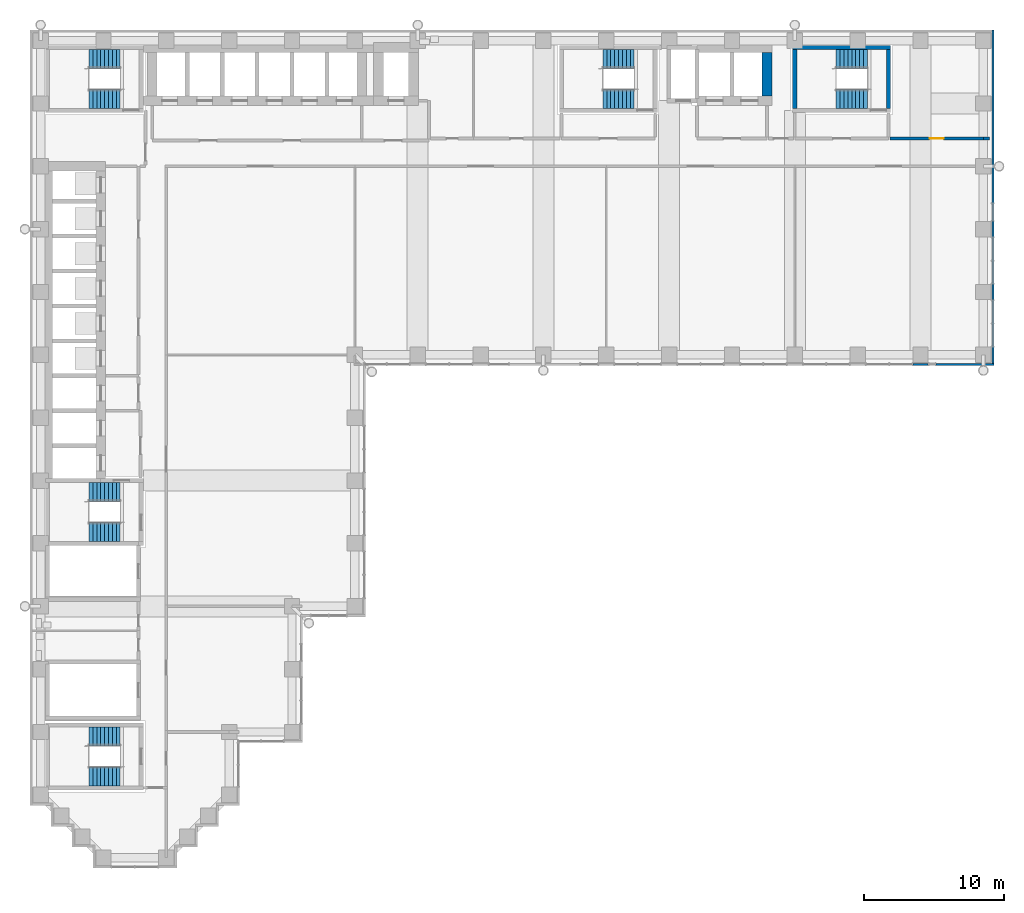
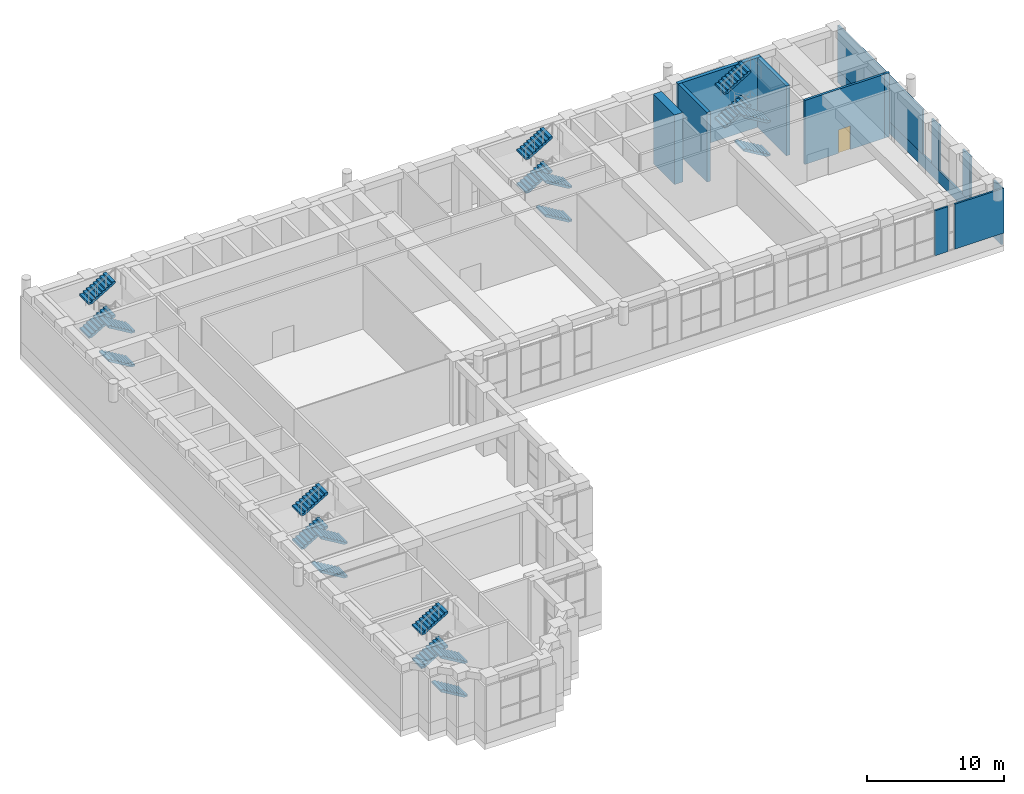
# One storey, part 17 of 22: 20 stair flights, 13 walls, 1 door, 1 opening, 5 elements without a shape of their own.
"""IFC4 building model written with IfcOpenShell, lengths in metres."""

from ifc_helpers import new_model, si_unit, direction, frame, frame_2d, origin, place, context, subcontext, project, spatial, polyline, rectangle, outline, extrude, material, layer, layer_set, type_object, element, fill, aggregate, save


model = new_model("IFC4")

# Units and contexts
model_context = context("Model", 3, precision=1e-05, world=origin(), true_north=direction((0.0, 1.0)))
body_context = subcontext(model_context, "Body", "Model", "MODEL_VIEW")
ifc_project = project(units=[si_unit("LENGTHUNIT", "METRE"), si_unit("AREAUNIT", "SQUARE_METRE"), si_unit("VOLUMEUNIT", "CUBIC_METRE"), si_unit("PLANEANGLEUNIT", "RADIAN"), si_unit("MASSUNIT", "GRAM", prefix="KILO")], contexts=[model_context])

# Site, building, storey
site_placement = place(None, origin())
site = spatial("IfcSite", under=ifc_project, at=site_placement, CompositionType="ELEMENT")
building_placement = place(site_placement, origin())
building = spatial("IfcBuilding", under=site, at=building_placement, Name="Firuza Court", CompositionType="ELEMENT")
storey_placement = place(building_placement, frame((0.0, 0.0, 113.60009765625)))
storey = spatial("IfcBuildingStorey", under=building, at=storey_placement, Name="L28", CompositionType="ELEMENT", Elevation=113.60009765625)

# Walls
ifc_material_1 = material(Name="Concrete C60/75", Category="concrete")
ifc_layer_1 = layer(ifc_material_1, 0.300048828125)
ifc_layer_set_1 = layer_set([ifc_layer_1], Name="Concrete C60/75")
wall_type_1 = type_object("IfcWallType", Name="Core wall 300 C60/75", PredefinedType="SHEAR", material=ifc_layer_set_1)
wall_1_placement = place(storey_placement, frame((53.85009765625, 58.0, -0.5), z_axis=(0.0, 0.0, 1.0), x_axis=(1.0, 0.0, 0.0)))
element("IfcWall", 1, at=wall_1_placement, inside=storey, type_object=wall_type_1, Name="Core wall stair L28", PredefinedType="SHEAR", context=body_context, shape_type="SweptSolid", body=[
    extrude(rectangle(XDim=7.0, YDim=0.300048828125, at=frame_2d((3.5, 0.0))), origin(), (0.0, 0.0, 1.0), 6.199951171875),
])
for number, where, z_axis, x_axis, name in (
    (2, (54.0, 53.64990234375, -0.5), (0.0, 0.0, 1.0), (0.0, 1.0, 0.0), "Core wall stair L28"),
    (3, (60.699951171875, 53.64990234375, -0.5), (0.0, 0.0, 1.0), (0.0, 1.0, 0.0), "Core wall stair L28"),
):
    element("IfcWall", number, at=place(storey_placement, frame(where, z_axis=z_axis, x_axis=x_axis)), inside=storey, type_object=wall_type_1, Name=name, PredefinedType="SHEAR", context=body_context, shape_type="SweptSolid", body=[
        extrude(rectangle(XDim=4.2001953125, YDim=0.300048828125, at=frame_2d((2.10009765625, 0.0))), origin(), (0.0, 0.0, 1.0), 6.199951171875),
    ])
ifc_layer_2 = layer(ifc_material_1, 0.699951171875)
ifc_layer_set_2 = layer_set([ifc_layer_2], Name="Concrete C60/75")
wall_type_2 = type_object("IfcWallType", Name="Core wall 700 C60/75", PredefinedType="SHEAR", material=ifc_layer_set_2)
wall_2_placement = place(storey_placement, frame((52.0, 54.550048828125, -0.5), z_axis=(0.0, 0.0, 1.0), x_axis=(0.0, 1.0, 0.0)))
element("IfcWall", 4, at=wall_2_placement, inside=storey, type_object=wall_type_2, Name="Core wall lift shaft L28", PredefinedType="SHEAR", context=body_context, shape_type="SweptSolid", body=[
    extrude(rectangle(XDim=3.099853515625, YDim=0.699951171875, at=frame_2d((1.5498046875, 0.0))), origin(), (0.0, 0.0, 1.0), 6.199951171875),
])

# Wall, opening, door
ifc_material_2 = material(Name="Blockwork, fire-rated", Category="masonry")
ifc_layer_3 = layer(ifc_material_2, 0.199951171875)
ifc_layer_set_3 = layer_set([ifc_layer_3], Name="Blockwork, fire-rated")
wall_type_3 = type_object("IfcWallType", Name="Plant room wall 200", PredefinedType="PARTITIONING", material=ifc_layer_set_3)
wall_3_placement = place(storey_placement, frame((67.5, 51.5, 0.0), z_axis=(0.0, 0.0, 1.0), x_axis=(-1.0, 0.0, 0.0)))
wall_3 = element("IfcWall", 5, at=wall_3_placement, inside=storey, type_object=wall_type_3, Name="Plant room wall 200 L28", PredefinedType="PARTITIONING", context=body_context, shape_type="SweptSolid", body=[
    extrude(rectangle(XDim=6.699951171875, YDim=0.199951171875, at=frame_2d((3.35009765625, 0.0))), origin(), (0.0, 0.0, 1.0), 5.699951171875),
])
opening_placement = place(wall_3_placement, frame((2.85009765625, 0.0, 0.0)))
opening = element("IfcOpeningElement", 6, at=opening_placement, cuts=wall_3, Name="Opening D28034", PredefinedType="OPENING", context=body_context, shape_type="SweptSolid", body=[
    extrude(rectangle(XDim=1.0, YDim=2.10009765625, at=frame_2d((0.5, 1.050048828125))), frame((0.0, 0.11181640625, 0.0), z_axis=(0.0, -1.0, 0.0), x_axis=(1.0, 0.0, 0.0)), (0.0, 0.0, 1.0), 0.223876953125),
])
ifc_material_3 = material(Name="Timber door leaf in hardwood frame", Category="wood")
door_type = type_object("IfcDoorType", Name="Store door 1000", OperationType="SINGLE_SWING_LEFT", PredefinedType="DOOR", material=ifc_material_3)
door_placement = place(opening_placement, frame((1.0, 0.0, 0.0), z_axis=(0.0, 0.0, 1.0), x_axis=(-1.0, 0.0, 0.0)))
door = element("IfcDoor", 7, at=door_placement, inside=storey, type_object=door_type, Name="Store door", OperationType="SINGLE_SWING_LEFT", OverallHeight=2.10009765625, OverallWidth=1.0, PredefinedType="DOOR", context=body_context, shape_type="SweptSolid", body=[
    extrude(rectangle(XDim=1.0, YDim=2.10009765625, at=frame_2d((0.5, 1.050048828125))), frame((0.0, 0.02490234375, 0.0), z_axis=(0.0, -1.0, 0.0), x_axis=(1.0, 0.0, 0.0)), (0.0, 0.0, 1.0), 0.050048828125),
])
fill(opening, door)

# Walls
wall_4_placement = place(storey_placement, frame((67.949951171875, 51.5, 0.0), z_axis=(0.0, 0.0, 1.0), x_axis=(-1.0, 0.0, 0.0)))
element("IfcWall", 8, at=wall_4_placement, inside=storey, type_object=wall_type_3, Name="Plant room wall 200 L28", PredefinedType="PARTITIONING", context=body_context, shape_type="SweptSolid", body=[
    extrude(rectangle(XDim=0.449951171875, YDim=0.199951171875, at=frame_2d((0.22509765625, 0.0))), origin(), (0.0, 0.0, 1.0), 5.699951171875),
])
ifc_material_4 = material(Name="Ceramic tile", Category="ceramic")
ifc_layer_4 = layer(ifc_material_4, 0.02001953125)
ifc_material_5 = material(Name="Mineral wool insulation", Category="insulation")
ifc_layer_5 = layer(ifc_material_5, 0.050048828125)
ifc_material_6 = material(Name="Concrete C40/50 precast", Category="concrete")
ifc_layer_6 = layer(ifc_material_6, 0.080078125)
ifc_layer_set_4 = layer_set([ifc_layer_4, ifc_layer_5, ifc_layer_6], Name="Concrete C40/50 precast")
wall_type_4 = type_object("IfcWallType", Name="Precast cladding wall with turquoise TILE PANEL face 150", PredefinedType="STANDARD", material=ifc_layer_set_4)
wall_5_placement = place(storey_placement, frame((68.175048828125, 35.39990234375, 0.0), z_axis=(0.0, 0.0, 1.0), x_axis=(0.0, 1.0, 0.0)))
element("IfcWall", 9, at=wall_5_placement, inside=storey, type_object=wall_type_4, Name="Facade kerb wall L28 E", PredefinedType="STANDARD", context=body_context, shape_type="SweptSolid", body=[
    extrude(rectangle(XDim=23.85009765625, YDim=0.14990234375, at=frame_2d((11.925048828125, 0.0))), origin(), (0.0, 0.0, 1.0), 1.099853515625),
])
wall_6_placement = place(storey_placement, frame((62.449951171875, 35.324951171875, 1.099853515625), z_axis=(0.0, 0.0, 1.0), x_axis=(1.0, 0.0, 0.0)))
element("IfcWall", 10, at=wall_6_placement, inside=storey, type_object=wall_type_4, Name="Facade wall L28 S", PredefinedType="STANDARD", context=body_context, shape_type="SweptSolid", body=[
    extrude(rectangle(XDim=1.10009765625, YDim=0.14990234375, at=frame_2d((0.550048828125, 0.0))), origin(), (0.0, 0.0, 1.0), 4.0),
])
wall_7_placement = place(storey_placement, frame((64.10546875, 35.324951171875, 1.099853515625), z_axis=(0.0, 0.0, 1.0), x_axis=(1.0, 0.0, 0.0)))
element("IfcWall", 11, at=wall_7_placement, inside=storey, type_object=wall_type_4, Name="Facade wall L28 S", PredefinedType="STANDARD", context=body_context, shape_type="SweptSolid", body=[
    extrude(rectangle(XDim=4.14453125, YDim=0.14990234375, at=frame_2d((2.072265625, 0.0))), origin(), (0.0, 0.0, 1.0), 4.0),
])
wall_8_placement = place(storey_placement, frame((68.175048828125, 35.39990234375, 1.099853515625), z_axis=(0.0, 0.0, 1.0), x_axis=(0.0, 1.0, 0.0)))
element("IfcWall", 12, at=wall_8_placement, inside=storey, type_object=wall_type_4, Name="Facade wall L28 E", PredefinedType="STANDARD", context=body_context, shape_type="SweptSolid", body=[
    extrude(rectangle(XDim=1.150146484375, YDim=0.14990234375, at=frame_2d((0.5751953125, 0.0))), origin(), (0.0, 0.0, 1.0), 4.0),
])
for number, where, z_axis, x_axis, name in (
    (13, (68.175048828125, 39.949951171875, 1.099853515625), (0.0, 0.0, 1.0), (0.0, 1.0, 0.0), "Facade wall L28 E"),
    (14, (68.175048828125, 44.449951171875, 1.099853515625), (0.0, 0.0, 1.0), (0.0, 1.0, 0.0), "Facade wall L28 E"),
):
    element("IfcWall", number, at=place(storey_placement, frame(where, z_axis=z_axis, x_axis=x_axis)), inside=storey, type_object=wall_type_4, Name=name, PredefinedType="STANDARD", context=body_context, shape_type="SweptSolid", body=[
        extrude(rectangle(XDim=1.10009765625, YDim=0.14990234375, at=frame_2d((0.550048828125, 0.0))), origin(), (0.0, 0.0, 1.0), 4.0),
    ])
wall_9_placement = place(storey_placement, frame((68.175048828125, 46.88720703125, 1.099853515625), z_axis=(0.0, 0.0, 1.0), x_axis=(0.0, 1.0, 0.0)))
element("IfcWall", 15, at=wall_9_placement, inside=storey, type_object=wall_type_4, Name="Facade wall L28 E", PredefinedType="STANDARD", context=body_context, shape_type="SweptSolid", body=[
    extrude(rectangle(XDim=12.36279296875, YDim=0.14990234375, at=frame_2d((6.181396484375, 0.0))), origin(), (0.0, 0.0, 1.0), 4.0),
])

# Stair, stair flights
ifc_material_7 = material(Name="Concrete C40/50 precast", Category="concrete")
stair_type = type_object("IfcStairType", Name="Stair 1350 x 6000 4 flights", PredefinedType="QUARTER_TURN_STAIR", material=ifc_material_7)
stair_1_placement = place(storey_placement, origin())
stair_1 = element("IfcStair", 16, at=stair_1_placement, inside=storey, type_object=stair_type, Name="Stair 1 L28", PredefinedType="QUARTER_TURN_STAIR")
ifc_material_8 = material(Name="Concrete C40/50 precast", Category="concrete")
stair_flight_type = type_object("IfcStairFlightType", Name="Flight 1350 riser 166.7", PredefinedType="STRAIGHT", material=ifc_material_8)
stair_flight_1_placement = place(storey_placement, frame((42.5, 54.324951171875, 0.0), z_axis=(0.0, 0.0, 1.0), x_axis=(-1.0, 0.0, 0.0)))
stair_flight_1 = element("IfcStairFlight", 17, at=stair_flight_1_placement, type_object=stair_flight_type, Name="S1 flight 1", NumberOfRisers=9, NumberOfTreads=8, PredefinedType="STRAIGHT", RiserHeight=0.166666667, TreadLength=0.28, context=body_context, shape_type="SweptSolid", body=[
    extrude(outline(polyline([(0.0, 0.0), (0.0, 0.166748046875), (0.280029296875, 0.166748046875), (0.280029296875, 0.333251953125), (0.56005859375, 0.333251953125), (0.56005859375, 0.5), (0.840087890625, 0.5), (0.840087890625, 0.666748046875), (1.1201171875, 0.666748046875), (1.1201171875, 0.833251953125), (1.39990234375, 0.833251953125), (1.39990234375, 1.0), (1.679931640625, 1.0), (1.679931640625, 1.166748046875), (1.9599609375, 1.166748046875), (1.9599609375, 1.333251953125), (2.239990234375, 1.333251953125), (2.239990234375, 1.5), (2.239990234375, 1.158935546875), (0.29296875, 0.0), (0.0, 0.0)])), frame((0.0, 0.675048828125, 0.0), z_axis=(0.0, -1.0, 0.0), x_axis=(1.0, 0.0, 0.0)), (0.0, 0.0, 1.0), 1.35009765625),
])
stair_flight_2_placement = place(storey_placement, frame((40.260009765625, 57.175048828125, 1.5), z_axis=(0.0, 0.0, 1.0), x_axis=(1.0, 0.0, 0.0)))
stair_flight_2 = element("IfcStairFlight", 18, at=stair_flight_2_placement, type_object=stair_flight_type, Name="S1 flight 2", NumberOfRisers=9, NumberOfTreads=8, PredefinedType="STRAIGHT", RiserHeight=0.166666667, TreadLength=0.28, context=body_context, shape_type="SweptSolid", body=[
    extrude(outline(polyline([(0.0, 0.0), (0.0, 0.166748046875), (0.280029296875, 0.166748046875), (0.280029296875, 0.333251953125), (0.56005859375, 0.333251953125), (0.56005859375, 0.5), (0.840087890625, 0.5), (0.840087890625, 0.666748046875), (1.1201171875, 0.666748046875), (1.1201171875, 0.833251953125), (1.39990234375, 0.833251953125), (1.39990234375, 1.0), (1.679931640625, 1.0), (1.679931640625, 1.166748046875), (1.9599609375, 1.166748046875), (1.9599609375, 1.333251953125), (2.239990234375, 1.333251953125), (2.239990234375, 1.5), (2.239990234375, 1.158935546875), (0.29296875, 0.0), (0.0, 0.0)])), frame((0.0, 0.675048828125, 0.0), z_axis=(0.0, -1.0, 0.0), x_axis=(1.0, 0.0, 0.0)), (0.0, 0.0, 1.0), 1.35009765625),
])
stair_flight_3_placement = place(storey_placement, frame((42.5, 54.324951171875, 3.0), z_axis=(0.0, 0.0, 1.0), x_axis=(-1.0, 0.0, 0.0)))
stair_flight_3 = element("IfcStairFlight", 19, at=stair_flight_3_placement, type_object=stair_flight_type, Name="S1 flight 3", NumberOfRisers=9, NumberOfTreads=8, PredefinedType="STRAIGHT", RiserHeight=0.166666667, TreadLength=0.28, context=body_context, shape_type="SweptSolid", body=[
    extrude(outline(polyline([(0.0, 0.0), (0.0, 0.166748046875), (0.280029296875, 0.166748046875), (0.280029296875, 0.333251953125), (0.56005859375, 0.333251953125), (0.56005859375, 0.5), (0.840087890625, 0.5), (0.840087890625, 0.666748046875), (1.1201171875, 0.666748046875), (1.1201171875, 0.833251953125), (1.39990234375, 0.833251953125), (1.39990234375, 1.0), (1.679931640625, 1.0), (1.679931640625, 1.166748046875), (1.9599609375, 1.166748046875), (1.9599609375, 1.333251953125), (2.239990234375, 1.333251953125), (2.239990234375, 1.5), (2.239990234375, 1.158935546875), (0.29296875, 0.0), (0.0, 0.0)])), frame((0.0, 0.675048828125, 0.0), z_axis=(0.0, -1.0, 0.0), x_axis=(1.0, 0.0, 0.0)), (0.0, 0.0, 1.0), 1.35009765625),
])
stair_flight_4_placement = place(storey_placement, frame((40.260009765625, 57.175048828125, 4.5), z_axis=(0.0, 0.0, 1.0), x_axis=(1.0, 0.0, 0.0)))
stair_flight_4 = element("IfcStairFlight", 20, at=stair_flight_4_placement, type_object=stair_flight_type, Name="S1 flight 4", NumberOfRisers=9, NumberOfTreads=8, PredefinedType="STRAIGHT", RiserHeight=0.166666667, TreadLength=0.28, context=body_context, shape_type="SweptSolid", body=[
    extrude(outline(polyline([(0.0, 0.0), (0.0, 0.166748046875), (0.280029296875, 0.166748046875), (0.280029296875, 0.333251953125), (0.56005859375, 0.333251953125), (0.56005859375, 0.5), (0.840087890625, 0.5), (0.840087890625, 0.666748046875), (1.1201171875, 0.666748046875), (1.1201171875, 0.833251953125), (1.39990234375, 0.833251953125), (1.39990234375, 1.0), (1.679931640625, 1.0), (1.679931640625, 1.166748046875), (1.9599609375, 1.166748046875), (1.9599609375, 1.333251953125), (2.239990234375, 1.333251953125), (2.239990234375, 1.5), (2.239990234375, 1.158935546875), (0.29296875, 0.0), (0.0, 0.0)])), frame((0.0, 0.675048828125, 0.0), z_axis=(0.0, -1.0, 0.0), x_axis=(1.0, 0.0, 0.0)), (0.0, 0.0, 1.0), 1.35009765625),
])
aggregate(stair_1, [stair_flight_1, stair_flight_2, stair_flight_3, stair_flight_4])

stair_2_placement = place(storey_placement, origin())
stair_2 = element("IfcStair", 21, at=stair_2_placement, inside=storey, type_object=stair_type, Name="Stair 2 L28", PredefinedType="QUARTER_TURN_STAIR")
stair_flight_5_placement = place(storey_placement, frame((5.699951171875, 23.324951171875, 0.0), z_axis=(0.0, 0.0, 1.0), x_axis=(-1.0, 0.0, 0.0)))
stair_flight_5 = element("IfcStairFlight", 22, at=stair_flight_5_placement, type_object=stair_flight_type, Name="S2 flight 1", NumberOfRisers=9, NumberOfTreads=8, PredefinedType="STRAIGHT", RiserHeight=0.166666667, TreadLength=0.28, context=body_context, shape_type="SweptSolid", body=[
    extrude(outline(polyline([(0.0, 0.0), (0.0, 0.166748046875), (0.280029296875, 0.166748046875), (0.280029296875, 0.333251953125), (0.56005859375, 0.333251953125), (0.56005859375, 0.5), (0.840087890625, 0.5), (0.840087890625, 0.666748046875), (1.1201171875, 0.666748046875), (1.1201171875, 0.833251953125), (1.39990234375, 0.833251953125), (1.39990234375, 1.0), (1.679931640625, 1.0), (1.679931640625, 1.166748046875), (1.9599609375, 1.166748046875), (1.9599609375, 1.333251953125), (2.239990234375, 1.333251953125), (2.239990234375, 1.5), (2.239990234375, 1.158935546875), (0.29296875, 0.0), (0.0, 0.0)])), frame((0.0, 0.675048828125, 0.0), z_axis=(0.0, -1.0, 0.0), x_axis=(1.0, 0.0, 0.0)), (0.0, 0.0, 1.0), 1.35009765625),
])
stair_flight_6_placement = place(storey_placement, frame((3.4599609375, 26.175048828125, 1.5), z_axis=(0.0, 0.0, 1.0), x_axis=(1.0, 0.0, 0.0)))
stair_flight_6 = element("IfcStairFlight", 23, at=stair_flight_6_placement, type_object=stair_flight_type, Name="S2 flight 2", NumberOfRisers=9, NumberOfTreads=8, PredefinedType="STRAIGHT", RiserHeight=0.166666667, TreadLength=0.28, context=body_context, shape_type="SweptSolid", body=[
    extrude(outline(polyline([(0.0, 0.0), (0.0, 0.166748046875), (0.280029296875, 0.166748046875), (0.280029296875, 0.333251953125), (0.56005859375, 0.333251953125), (0.56005859375, 0.5), (0.840087890625, 0.5), (0.840087890625, 0.666748046875), (1.1201171875, 0.666748046875), (1.1201171875, 0.833251953125), (1.39990234375, 0.833251953125), (1.39990234375, 1.0), (1.679931640625, 1.0), (1.679931640625, 1.166748046875), (1.9599609375, 1.166748046875), (1.9599609375, 1.333251953125), (2.239990234375, 1.333251953125), (2.239990234375, 1.5), (2.239990234375, 1.158935546875), (0.29296875, 0.0), (0.0, 0.0)])), frame((0.0, 0.675048828125, 0.0), z_axis=(0.0, -1.0, 0.0), x_axis=(1.0, 0.0, 0.0)), (0.0, 0.0, 1.0), 1.35009765625),
])
stair_flight_7_placement = place(storey_placement, frame((5.699951171875, 23.324951171875, 3.0), z_axis=(0.0, 0.0, 1.0), x_axis=(-1.0, 0.0, 0.0)))
stair_flight_7 = element("IfcStairFlight", 24, at=stair_flight_7_placement, type_object=stair_flight_type, Name="S2 flight 3", NumberOfRisers=9, NumberOfTreads=8, PredefinedType="STRAIGHT", RiserHeight=0.166666667, TreadLength=0.28, context=body_context, shape_type="SweptSolid", body=[
    extrude(outline(polyline([(0.0, 0.0), (0.0, 0.166748046875), (0.280029296875, 0.166748046875), (0.280029296875, 0.333251953125), (0.56005859375, 0.333251953125), (0.56005859375, 0.5), (0.840087890625, 0.5), (0.840087890625, 0.666748046875), (1.1201171875, 0.666748046875), (1.1201171875, 0.833251953125), (1.39990234375, 0.833251953125), (1.39990234375, 1.0), (1.679931640625, 1.0), (1.679931640625, 1.166748046875), (1.9599609375, 1.166748046875), (1.9599609375, 1.333251953125), (2.239990234375, 1.333251953125), (2.239990234375, 1.5), (2.239990234375, 1.158935546875), (0.29296875, 0.0), (0.0, 0.0)])), frame((0.0, 0.675048828125, 0.0), z_axis=(0.0, -1.0, 0.0), x_axis=(1.0, 0.0, 0.0)), (0.0, 0.0, 1.0), 1.35009765625),
])
stair_flight_8_placement = place(storey_placement, frame((3.4599609375, 26.175048828125, 4.5), z_axis=(0.0, 0.0, 1.0), x_axis=(1.0, 0.0, 0.0)))
stair_flight_8 = element("IfcStairFlight", 25, at=stair_flight_8_placement, type_object=stair_flight_type, Name="S2 flight 4", NumberOfRisers=9, NumberOfTreads=8, PredefinedType="STRAIGHT", RiserHeight=0.166666667, TreadLength=0.28, context=body_context, shape_type="SweptSolid", body=[
    extrude(outline(polyline([(0.0, 0.0), (0.0, 0.166748046875), (0.280029296875, 0.166748046875), (0.280029296875, 0.333251953125), (0.56005859375, 0.333251953125), (0.56005859375, 0.5), (0.840087890625, 0.5), (0.840087890625, 0.666748046875), (1.1201171875, 0.666748046875), (1.1201171875, 0.833251953125), (1.39990234375, 0.833251953125), (1.39990234375, 1.0), (1.679931640625, 1.0), (1.679931640625, 1.166748046875), (1.9599609375, 1.166748046875), (1.9599609375, 1.333251953125), (2.239990234375, 1.333251953125), (2.239990234375, 1.5), (2.239990234375, 1.158935546875), (0.29296875, 0.0), (0.0, 0.0)])), frame((0.0, 0.675048828125, 0.0), z_axis=(0.0, -1.0, 0.0), x_axis=(1.0, 0.0, 0.0)), (0.0, 0.0, 1.0), 1.35009765625),
])
aggregate(stair_2, [stair_flight_5, stair_flight_6, stair_flight_7, stair_flight_8])

stair_3_placement = place(storey_placement, origin())
stair_3 = element("IfcStair", 26, at=stair_3_placement, inside=storey, type_object=stair_type, Name="Stair 3 L28", PredefinedType="QUARTER_TURN_STAIR")
stair_flight_9_placement = place(storey_placement, frame((5.699951171875, 54.324951171875, 0.0), z_axis=(0.0, 0.0, 1.0), x_axis=(-1.0, 0.0, 0.0)))
stair_flight_9 = element("IfcStairFlight", 27, at=stair_flight_9_placement, type_object=stair_flight_type, Name="S3 flight 1", NumberOfRisers=9, NumberOfTreads=8, PredefinedType="STRAIGHT", RiserHeight=0.166666667, TreadLength=0.28, context=body_context, shape_type="SweptSolid", body=[
    extrude(outline(polyline([(0.0, 0.0), (0.0, 0.166748046875), (0.280029296875, 0.166748046875), (0.280029296875, 0.333251953125), (0.56005859375, 0.333251953125), (0.56005859375, 0.5), (0.840087890625, 0.5), (0.840087890625, 0.666748046875), (1.1201171875, 0.666748046875), (1.1201171875, 0.833251953125), (1.39990234375, 0.833251953125), (1.39990234375, 1.0), (1.679931640625, 1.0), (1.679931640625, 1.166748046875), (1.9599609375, 1.166748046875), (1.9599609375, 1.333251953125), (2.239990234375, 1.333251953125), (2.239990234375, 1.5), (2.239990234375, 1.158935546875), (0.29296875, 0.0), (0.0, 0.0)])), frame((0.0, 0.675048828125, 0.0), z_axis=(0.0, -1.0, 0.0), x_axis=(1.0, 0.0, 0.0)), (0.0, 0.0, 1.0), 1.35009765625),
])
stair_flight_10_placement = place(storey_placement, frame((3.4599609375, 57.175048828125, 1.5), z_axis=(0.0, 0.0, 1.0), x_axis=(1.0, 0.0, 0.0)))
stair_flight_10 = element("IfcStairFlight", 28, at=stair_flight_10_placement, type_object=stair_flight_type, Name="S3 flight 2", NumberOfRisers=9, NumberOfTreads=8, PredefinedType="STRAIGHT", RiserHeight=0.166666667, TreadLength=0.28, context=body_context, shape_type="SweptSolid", body=[
    extrude(outline(polyline([(0.0, 0.0), (0.0, 0.166748046875), (0.280029296875, 0.166748046875), (0.280029296875, 0.333251953125), (0.56005859375, 0.333251953125), (0.56005859375, 0.5), (0.840087890625, 0.5), (0.840087890625, 0.666748046875), (1.1201171875, 0.666748046875), (1.1201171875, 0.833251953125), (1.39990234375, 0.833251953125), (1.39990234375, 1.0), (1.679931640625, 1.0), (1.679931640625, 1.166748046875), (1.9599609375, 1.166748046875), (1.9599609375, 1.333251953125), (2.239990234375, 1.333251953125), (2.239990234375, 1.5), (2.239990234375, 1.158935546875), (0.29296875, 0.0), (0.0, 0.0)])), frame((0.0, 0.675048828125, 0.0), z_axis=(0.0, -1.0, 0.0), x_axis=(1.0, 0.0, 0.0)), (0.0, 0.0, 1.0), 1.35009765625),
])
stair_flight_11_placement = place(storey_placement, frame((5.699951171875, 54.324951171875, 3.0), z_axis=(0.0, 0.0, 1.0), x_axis=(-1.0, 0.0, 0.0)))
stair_flight_11 = element("IfcStairFlight", 29, at=stair_flight_11_placement, type_object=stair_flight_type, Name="S3 flight 3", NumberOfRisers=9, NumberOfTreads=8, PredefinedType="STRAIGHT", RiserHeight=0.166666667, TreadLength=0.28, context=body_context, shape_type="SweptSolid", body=[
    extrude(outline(polyline([(0.0, 0.0), (0.0, 0.166748046875), (0.280029296875, 0.166748046875), (0.280029296875, 0.333251953125), (0.56005859375, 0.333251953125), (0.56005859375, 0.5), (0.840087890625, 0.5), (0.840087890625, 0.666748046875), (1.1201171875, 0.666748046875), (1.1201171875, 0.833251953125), (1.39990234375, 0.833251953125), (1.39990234375, 1.0), (1.679931640625, 1.0), (1.679931640625, 1.166748046875), (1.9599609375, 1.166748046875), (1.9599609375, 1.333251953125), (2.239990234375, 1.333251953125), (2.239990234375, 1.5), (2.239990234375, 1.158935546875), (0.29296875, 0.0), (0.0, 0.0)])), frame((0.0, 0.675048828125, 0.0), z_axis=(0.0, -1.0, 0.0), x_axis=(1.0, 0.0, 0.0)), (0.0, 0.0, 1.0), 1.35009765625),
])
stair_flight_12_placement = place(storey_placement, frame((3.4599609375, 57.175048828125, 4.5), z_axis=(0.0, 0.0, 1.0), x_axis=(1.0, 0.0, 0.0)))
stair_flight_12 = element("IfcStairFlight", 30, at=stair_flight_12_placement, type_object=stair_flight_type, Name="S3 flight 4", NumberOfRisers=9, NumberOfTreads=8, PredefinedType="STRAIGHT", RiserHeight=0.166666667, TreadLength=0.28, context=body_context, shape_type="SweptSolid", body=[
    extrude(outline(polyline([(0.0, 0.0), (0.0, 0.166748046875), (0.280029296875, 0.166748046875), (0.280029296875, 0.333251953125), (0.56005859375, 0.333251953125), (0.56005859375, 0.5), (0.840087890625, 0.5), (0.840087890625, 0.666748046875), (1.1201171875, 0.666748046875), (1.1201171875, 0.833251953125), (1.39990234375, 0.833251953125), (1.39990234375, 1.0), (1.679931640625, 1.0), (1.679931640625, 1.166748046875), (1.9599609375, 1.166748046875), (1.9599609375, 1.333251953125), (2.239990234375, 1.333251953125), (2.239990234375, 1.5), (2.239990234375, 1.158935546875), (0.29296875, 0.0), (0.0, 0.0)])), frame((0.0, 0.675048828125, 0.0), z_axis=(0.0, -1.0, 0.0), x_axis=(1.0, 0.0, 0.0)), (0.0, 0.0, 1.0), 1.35009765625),
])
aggregate(stair_3, [stair_flight_9, stair_flight_10, stair_flight_11, stair_flight_12])

stair_4_placement = place(storey_placement, origin())
stair_4 = element("IfcStair", 31, at=stair_4_placement, inside=storey, type_object=stair_type, Name="Stair 4 L28", PredefinedType="QUARTER_TURN_STAIR")
stair_flight_13_placement = place(storey_placement, frame((59.199951171875, 54.324951171875, 0.0), z_axis=(0.0, 0.0, 1.0), x_axis=(-1.0, 0.0, 0.0)))
stair_flight_13 = element("IfcStairFlight", 32, at=stair_flight_13_placement, type_object=stair_flight_type, Name="S4 flight 1", NumberOfRisers=9, NumberOfTreads=8, PredefinedType="STRAIGHT", RiserHeight=0.166666667, TreadLength=0.28, context=body_context, shape_type="SweptSolid", body=[
    extrude(outline(polyline([(0.0, 0.0), (0.0, 0.166748046875), (0.280029296875, 0.166748046875), (0.280029296875, 0.333251953125), (0.56005859375, 0.333251953125), (0.56005859375, 0.5), (0.840087890625, 0.5), (0.840087890625, 0.666748046875), (1.1201171875, 0.666748046875), (1.1201171875, 0.833251953125), (1.39990234375, 0.833251953125), (1.39990234375, 1.0), (1.679931640625, 1.0), (1.679931640625, 1.166748046875), (1.9599609375, 1.166748046875), (1.9599609375, 1.333251953125), (2.239990234375, 1.333251953125), (2.239990234375, 1.5), (2.239990234375, 1.158935546875), (0.29296875, 0.0), (0.0, 0.0)])), frame((0.0, 0.675048828125, 0.0), z_axis=(0.0, -1.0, 0.0), x_axis=(1.0, 0.0, 0.0)), (0.0, 0.0, 1.0), 1.35009765625),
])
stair_flight_14_placement = place(storey_placement, frame((56.9599609375, 57.175048828125, 1.5), z_axis=(0.0, 0.0, 1.0), x_axis=(1.0, 0.0, 0.0)))
stair_flight_14 = element("IfcStairFlight", 33, at=stair_flight_14_placement, type_object=stair_flight_type, Name="S4 flight 2", NumberOfRisers=9, NumberOfTreads=8, PredefinedType="STRAIGHT", RiserHeight=0.166666667, TreadLength=0.28, context=body_context, shape_type="SweptSolid", body=[
    extrude(outline(polyline([(0.0, 0.0), (0.0, 0.166748046875), (0.280029296875, 0.166748046875), (0.280029296875, 0.333251953125), (0.56005859375, 0.333251953125), (0.56005859375, 0.5), (0.840087890625, 0.5), (0.840087890625, 0.666748046875), (1.1201171875, 0.666748046875), (1.1201171875, 0.833251953125), (1.39990234375, 0.833251953125), (1.39990234375, 1.0), (1.679931640625, 1.0), (1.679931640625, 1.166748046875), (1.9599609375, 1.166748046875), (1.9599609375, 1.333251953125), (2.239990234375, 1.333251953125), (2.239990234375, 1.5), (2.239990234375, 1.158935546875), (0.29296875, 0.0), (0.0, 0.0)])), frame((0.0, 0.675048828125, 0.0), z_axis=(0.0, -1.0, 0.0), x_axis=(1.0, 0.0, 0.0)), (0.0, 0.0, 1.0), 1.35009765625),
])
stair_flight_15_placement = place(storey_placement, frame((59.199951171875, 54.324951171875, 3.0), z_axis=(0.0, 0.0, 1.0), x_axis=(-1.0, 0.0, 0.0)))
stair_flight_15 = element("IfcStairFlight", 34, at=stair_flight_15_placement, type_object=stair_flight_type, Name="S4 flight 3", NumberOfRisers=9, NumberOfTreads=8, PredefinedType="STRAIGHT", RiserHeight=0.166666667, TreadLength=0.28, context=body_context, shape_type="SweptSolid", body=[
    extrude(outline(polyline([(0.0, 0.0), (0.0, 0.166748046875), (0.280029296875, 0.166748046875), (0.280029296875, 0.333251953125), (0.56005859375, 0.333251953125), (0.56005859375, 0.5), (0.840087890625, 0.5), (0.840087890625, 0.666748046875), (1.1201171875, 0.666748046875), (1.1201171875, 0.833251953125), (1.39990234375, 0.833251953125), (1.39990234375, 1.0), (1.679931640625, 1.0), (1.679931640625, 1.166748046875), (1.9599609375, 1.166748046875), (1.9599609375, 1.333251953125), (2.239990234375, 1.333251953125), (2.239990234375, 1.5), (2.239990234375, 1.158935546875), (0.29296875, 0.0), (0.0, 0.0)])), frame((0.0, 0.675048828125, 0.0), z_axis=(0.0, -1.0, 0.0), x_axis=(1.0, 0.0, 0.0)), (0.0, 0.0, 1.0), 1.35009765625),
])
stair_flight_16_placement = place(storey_placement, frame((56.9599609375, 57.175048828125, 4.5), z_axis=(0.0, 0.0, 1.0), x_axis=(1.0, 0.0, 0.0)))
stair_flight_16 = element("IfcStairFlight", 35, at=stair_flight_16_placement, type_object=stair_flight_type, Name="S4 flight 4", NumberOfRisers=9, NumberOfTreads=8, PredefinedType="STRAIGHT", RiserHeight=0.166666667, TreadLength=0.28, context=body_context, shape_type="SweptSolid", body=[
    extrude(outline(polyline([(0.0, 0.0), (0.0, 0.166748046875), (0.280029296875, 0.166748046875), (0.280029296875, 0.333251953125), (0.56005859375, 0.333251953125), (0.56005859375, 0.5), (0.840087890625, 0.5), (0.840087890625, 0.666748046875), (1.1201171875, 0.666748046875), (1.1201171875, 0.833251953125), (1.39990234375, 0.833251953125), (1.39990234375, 1.0), (1.679931640625, 1.0), (1.679931640625, 1.166748046875), (1.9599609375, 1.166748046875), (1.9599609375, 1.333251953125), (2.239990234375, 1.333251953125), (2.239990234375, 1.5), (2.239990234375, 1.158935546875), (0.29296875, 0.0), (0.0, 0.0)])), frame((0.0, 0.675048828125, 0.0), z_axis=(0.0, -1.0, 0.0), x_axis=(1.0, 0.0, 0.0)), (0.0, 0.0, 1.0), 1.35009765625),
])
aggregate(stair_4, [stair_flight_13, stair_flight_14, stair_flight_15, stair_flight_16])

stair_5_placement = place(storey_placement, origin())
stair_5 = element("IfcStair", 36, at=stair_5_placement, inside=storey, type_object=stair_type, Name="Stair 5 L28", PredefinedType="QUARTER_TURN_STAIR")
stair_flight_17_placement = place(storey_placement, frame((5.699951171875, 5.824951171875, 0.0), z_axis=(0.0, 0.0, 1.0), x_axis=(-1.0, 0.0, 0.0)))
stair_flight_17 = element("IfcStairFlight", 37, at=stair_flight_17_placement, type_object=stair_flight_type, Name="S5 flight 1", NumberOfRisers=9, NumberOfTreads=8, PredefinedType="STRAIGHT", RiserHeight=0.166666667, TreadLength=0.28, context=body_context, shape_type="SweptSolid", body=[
    extrude(outline(polyline([(0.0, 0.0), (0.0, 0.166748046875), (0.280029296875, 0.166748046875), (0.280029296875, 0.333251953125), (0.56005859375, 0.333251953125), (0.56005859375, 0.5), (0.840087890625, 0.5), (0.840087890625, 0.666748046875), (1.1201171875, 0.666748046875), (1.1201171875, 0.833251953125), (1.39990234375, 0.833251953125), (1.39990234375, 1.0), (1.679931640625, 1.0), (1.679931640625, 1.166748046875), (1.9599609375, 1.166748046875), (1.9599609375, 1.333251953125), (2.239990234375, 1.333251953125), (2.239990234375, 1.5), (2.239990234375, 1.158935546875), (0.29296875, 0.0), (0.0, 0.0)])), frame((0.0, 0.675048828125, 0.0), z_axis=(0.0, -1.0, 0.0), x_axis=(1.0, 0.0, 0.0)), (0.0, 0.0, 1.0), 1.35009765625),
])
stair_flight_18_placement = place(storey_placement, frame((3.4599609375, 8.675048828125, 1.5), z_axis=(0.0, 0.0, 1.0), x_axis=(1.0, 0.0, 0.0)))
stair_flight_18 = element("IfcStairFlight", 38, at=stair_flight_18_placement, type_object=stair_flight_type, Name="S5 flight 2", NumberOfRisers=9, NumberOfTreads=8, PredefinedType="STRAIGHT", RiserHeight=0.166666667, TreadLength=0.28, context=body_context, shape_type="SweptSolid", body=[
    extrude(outline(polyline([(0.0, 0.0), (0.0, 0.166748046875), (0.280029296875, 0.166748046875), (0.280029296875, 0.333251953125), (0.56005859375, 0.333251953125), (0.56005859375, 0.5), (0.840087890625, 0.5), (0.840087890625, 0.666748046875), (1.1201171875, 0.666748046875), (1.1201171875, 0.833251953125), (1.39990234375, 0.833251953125), (1.39990234375, 1.0), (1.679931640625, 1.0), (1.679931640625, 1.166748046875), (1.9599609375, 1.166748046875), (1.9599609375, 1.333251953125), (2.239990234375, 1.333251953125), (2.239990234375, 1.5), (2.239990234375, 1.158935546875), (0.29296875, 0.0), (0.0, 0.0)])), frame((0.0, 0.675048828125, 0.0), z_axis=(0.0, -1.0, 0.0), x_axis=(1.0, 0.0, 0.0)), (0.0, 0.0, 1.0), 1.35009765625),
])
stair_flight_19_placement = place(storey_placement, frame((5.699951171875, 5.824951171875, 3.0), z_axis=(0.0, 0.0, 1.0), x_axis=(-1.0, 0.0, 0.0)))
stair_flight_19 = element("IfcStairFlight", 39, at=stair_flight_19_placement, type_object=stair_flight_type, Name="S5 flight 3", NumberOfRisers=9, NumberOfTreads=8, PredefinedType="STRAIGHT", RiserHeight=0.166666667, TreadLength=0.28, context=body_context, shape_type="SweptSolid", body=[
    extrude(outline(polyline([(0.0, 0.0), (0.0, 0.166748046875), (0.280029296875, 0.166748046875), (0.280029296875, 0.333251953125), (0.56005859375, 0.333251953125), (0.56005859375, 0.5), (0.840087890625, 0.5), (0.840087890625, 0.666748046875), (1.1201171875, 0.666748046875), (1.1201171875, 0.833251953125), (1.39990234375, 0.833251953125), (1.39990234375, 1.0), (1.679931640625, 1.0), (1.679931640625, 1.166748046875), (1.9599609375, 1.166748046875), (1.9599609375, 1.333251953125), (2.239990234375, 1.333251953125), (2.239990234375, 1.5), (2.239990234375, 1.158935546875), (0.29296875, 0.0), (0.0, 0.0)])), frame((0.0, 0.675048828125, 0.0), z_axis=(0.0, -1.0, 0.0), x_axis=(1.0, 0.0, 0.0)), (0.0, 0.0, 1.0), 1.35009765625),
])
stair_flight_20_placement = place(storey_placement, frame((3.4599609375, 8.675048828125, 4.5), z_axis=(0.0, 0.0, 1.0), x_axis=(1.0, 0.0, 0.0)))
stair_flight_20 = element("IfcStairFlight", 40, at=stair_flight_20_placement, type_object=stair_flight_type, Name="S5 flight 4", NumberOfRisers=9, NumberOfTreads=8, PredefinedType="STRAIGHT", RiserHeight=0.166666667, TreadLength=0.28, context=body_context, shape_type="SweptSolid", body=[
    extrude(outline(polyline([(0.0, 0.0), (0.0, 0.166748046875), (0.280029296875, 0.166748046875), (0.280029296875, 0.333251953125), (0.56005859375, 0.333251953125), (0.56005859375, 0.5), (0.840087890625, 0.5), (0.840087890625, 0.666748046875), (1.1201171875, 0.666748046875), (1.1201171875, 0.833251953125), (1.39990234375, 0.833251953125), (1.39990234375, 1.0), (1.679931640625, 1.0), (1.679931640625, 1.166748046875), (1.9599609375, 1.166748046875), (1.9599609375, 1.333251953125), (2.239990234375, 1.333251953125), (2.239990234375, 1.5), (2.239990234375, 1.158935546875), (0.29296875, 0.0), (0.0, 0.0)])), frame((0.0, 0.675048828125, 0.0), z_axis=(0.0, -1.0, 0.0), x_axis=(1.0, 0.0, 0.0)), (0.0, 0.0, 1.0), 1.35009765625),
])
aggregate(stair_5, [stair_flight_17, stair_flight_18, stair_flight_19, stair_flight_20])

save(model, "model.ifc")
